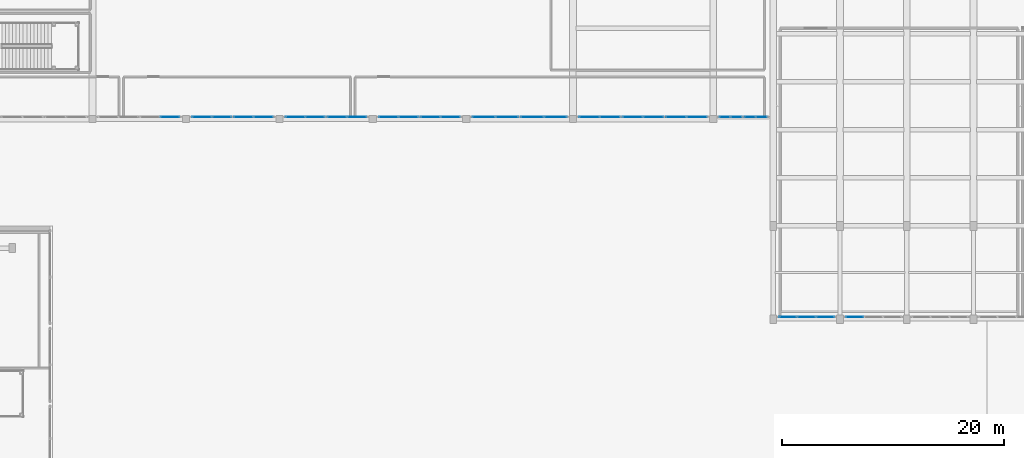
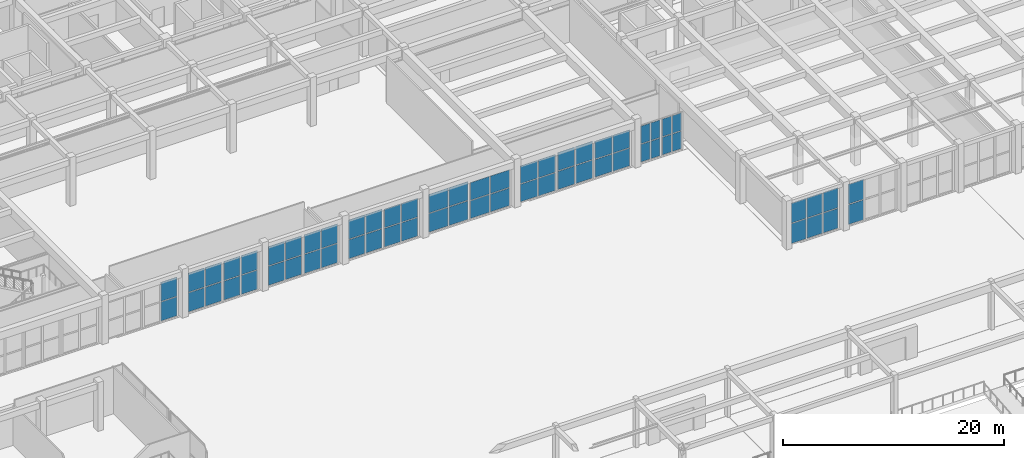
# One storey, part 61 of 98: 62 plates, 16 elements without a shape of their own.
"""IFC4 building model written with IfcOpenShell, lengths in metres."""

from ifc_helpers import new_model, si_unit, direction, frame, origin, origin_2d, place, context, subcontext, project, spatial, rectangle, extrude, material, layer, layer_set, type_object, element, aggregate, save


model = new_model("IFC4")

# Units and contexts
model_context = context("Model", 3, precision=1e-05, world=origin(), true_north=direction((0.0, 1.0)))
body_context = subcontext(model_context, "Body", "Model", "MODEL_VIEW")
ifc_project = project(units=[si_unit("LENGTHUNIT", "METRE"), si_unit("AREAUNIT", "SQUARE_METRE"), si_unit("VOLUMEUNIT", "CUBIC_METRE"), si_unit("PLANEANGLEUNIT", "RADIAN"), si_unit("MASSUNIT", "GRAM", prefix="KILO")], contexts=[model_context])

# Site, building, storey
site_placement = place(None, origin())
site = spatial("IfcSite", under=ifc_project, at=site_placement, CompositionType="ELEMENT")
building_placement = place(site_placement, origin())
building = spatial("IfcBuilding", under=site, at=building_placement, Name="Tarnavel Promenade Courthouse", CompositionType="ELEMENT")
storey_placement = place(building_placement, origin())
storey = spatial("IfcBuildingStorey", under=building, at=storey_placement, Name="L01", CompositionType="ELEMENT", Elevation=0.0)

# Curtain wall, plates
ifc_material_1 = material(Name="Thermally Broken Anodised Aluminium Curtain Wall System", Category="aluminium")
ifc_layer_1 = layer(ifc_material_1, 0.199951171875)
ifc_layer_set_1 = layer_set([ifc_layer_1], Name="Thermally Broken Anodised Aluminium Curtain Wall System")
curtain_wall_type_1 = type_object("IfcCurtainWallType", Name="Thermally Broken Aluminium Triple-Glazed Curtain Wall CW-FOYER", PredefinedType="NOTDEFINED", material=ifc_layer_set_1)
curtain_wall_1_placement = place(storey_placement, origin())
curtain_wall_1 = element("IfcCurtainWall", 1, at=curtain_wall_1_placement, inside=storey, type_object=curtain_wall_type_1, Name="L01 Ceremonial Cloister Curtain Wall 158", PredefinedType="NOTDEFINED")
ifc_material_2 = material(Name="Triple Low-E Argon Insulated Glazing", Category="glass")
ifc_layer_2 = layer(ifc_material_2, 0.048095703125)
ifc_layer_set_2 = layer_set([ifc_layer_2], Name="Triple Low-E Argon Insulated Glazing")
plate_type_1 = type_object("IfcPlateType", Name="Triple Low-E Argon Insulated Glazing Unit CWP-48 (48 mm)", PredefinedType="CURTAIN_PANEL", material=ifc_layer_set_2)
plate_1_placement = place(storey_placement, frame((121.322509765625, 29.02001953125, 0.080078125), z_axis=(0.0, 0.0, 1.0), x_axis=(1.0, 0.0, 0.0)))
plate_1 = element("IfcPlate", 2, at=plate_1_placement, type_object=plate_type_1, Name="CW-04 panel 1.1", PredefinedType="CURTAIN_PANEL", context=body_context, shape_type="SweptSolid", body=[
    extrude(rectangle(XDim=1.56494140625, YDim=0.048095703125, at=origin_2d()), origin(), (0.0, 0.0, 1.0), 2.18994140625),
])
plate_2_placement = place(storey_placement, frame((121.322509765625, 29.02001953125, 2.35009765625), z_axis=(0.0, 0.0, 1.0), x_axis=(1.0, 0.0, 0.0)))
plate_2 = element("IfcPlate", 3, at=plate_2_placement, type_object=plate_type_1, Name="CW-04 panel 1.2", PredefinedType="CURTAIN_PANEL", context=body_context, shape_type="SweptSolid", body=[
    extrude(rectangle(XDim=1.56494140625, YDim=0.048095703125, at=origin_2d()), origin(), (0.0, 0.0, 1.0), 2.18994140625),
])
plate_3_placement = place(storey_placement, frame((123.0, 29.02001953125, 0.080078125), z_axis=(0.0, 0.0, 1.0), x_axis=(1.0, 0.0, 0.0)))
plate_3 = element("IfcPlate", 4, at=plate_3_placement, type_object=plate_type_1, Name="CW-04 panel 2.1", PredefinedType="CURTAIN_PANEL", context=body_context, shape_type="SweptSolid", body=[
    extrude(rectangle(XDim=1.610107421875, YDim=0.048095703125, at=origin_2d()), origin(), (0.0, 0.0, 1.0), 2.18994140625),
])
plate_4_placement = place(storey_placement, frame((123.0, 29.02001953125, 2.35009765625), z_axis=(0.0, 0.0, 1.0), x_axis=(1.0, 0.0, 0.0)))
plate_4 = element("IfcPlate", 5, at=plate_4_placement, type_object=plate_type_1, Name="CW-04 panel 2.2", PredefinedType="CURTAIN_PANEL", context=body_context, shape_type="SweptSolid", body=[
    extrude(rectangle(XDim=1.610107421875, YDim=0.048095703125, at=origin_2d()), origin(), (0.0, 0.0, 1.0), 2.18994140625),
])
plate_5_placement = place(storey_placement, frame((124.677490234375, 29.02001953125, 0.080078125), z_axis=(0.0, 0.0, 1.0), x_axis=(1.0, 0.0, 0.0)))
plate_5 = element("IfcPlate", 6, at=plate_5_placement, type_object=plate_type_1, Name="CW-04 panel 3.1", PredefinedType="CURTAIN_PANEL", context=body_context, shape_type="SweptSolid", body=[
    extrude(rectangle(XDim=1.56494140625, YDim=0.048095703125, at=origin_2d()), origin(), (0.0, 0.0, 1.0), 2.18994140625),
])
plate_6_placement = place(storey_placement, frame((124.677490234375, 29.02001953125, 2.35009765625), z_axis=(0.0, 0.0, 1.0), x_axis=(1.0, 0.0, 0.0)))
plate_6 = element("IfcPlate", 7, at=plate_6_placement, type_object=plate_type_1, Name="CW-04 panel 3.2", PredefinedType="CURTAIN_PANEL", context=body_context, shape_type="SweptSolid", body=[
    extrude(rectangle(XDim=1.56494140625, YDim=0.048095703125, at=origin_2d()), origin(), (0.0, 0.0, 1.0), 2.18994140625),
])
aggregate(curtain_wall_1, [plate_1, plate_2, plate_3, plate_4, plate_5, plate_6])

curtain_wall_2_placement = place(storey_placement, origin())
curtain_wall_2 = element("IfcCurtainWall", 8, at=curtain_wall_2_placement, inside=storey, type_object=curtain_wall_type_1, Name="L01 Ceremonial Cloister Curtain Wall 159", PredefinedType="NOTDEFINED")
plate_7_placement = place(storey_placement, frame((127.322509765625, 29.02001953125, 0.080078125), z_axis=(0.0, 0.0, 1.0), x_axis=(1.0, 0.0, 0.0)))
plate_7 = element("IfcPlate", 9, at=plate_7_placement, type_object=plate_type_1, Name="CW-04 panel 1.1", PredefinedType="CURTAIN_PANEL", context=body_context, shape_type="SweptSolid", body=[
    extrude(rectangle(XDim=1.56494140625, YDim=0.048095703125, at=origin_2d()), origin(), (0.0, 0.0, 1.0), 2.18994140625),
])
plate_8_placement = place(storey_placement, frame((127.322509765625, 29.02001953125, 2.35009765625), z_axis=(0.0, 0.0, 1.0), x_axis=(1.0, 0.0, 0.0)))
plate_8 = element("IfcPlate", 10, at=plate_8_placement, type_object=plate_type_1, Name="CW-04 panel 1.2", PredefinedType="CURTAIN_PANEL", context=body_context, shape_type="SweptSolid", body=[
    extrude(rectangle(XDim=1.56494140625, YDim=0.048095703125, at=origin_2d()), origin(), (0.0, 0.0, 1.0), 2.18994140625),
])
aggregate(curtain_wall_2, [plate_7, plate_8])

ifc_layer_3 = layer(ifc_material_1, 0.239990234375)
ifc_layer_set_3 = layer_set([ifc_layer_3], Name="Thermally Broken Anodised Aluminium Curtain Wall System")
curtain_wall_type_2 = type_object("IfcCurtainWallType", Name="Thermally Broken Aluminium Triple-Glazed Curtain Wall CW-WG-S", PredefinedType="NOTDEFINED", material=ifc_layer_set_3)
curtain_wall_3_placement = place(storey_placement, origin())
curtain_wall_3 = element("IfcCurtainWall", 11, at=curtain_wall_3_placement, inside=storey, type_object=curtain_wall_type_2, Name="L01 Winter-Garden South Solar Curtain Wall 048", PredefinedType="NOTDEFINED")
ifc_layer_4 = layer(ifc_material_2, 0.053955078125)
ifc_layer_set_4 = layer_set([ifc_layer_4], Name="Triple Low-E Argon Insulated Glazing")
plate_type_2 = type_object("IfcPlateType", Name="Triple Low-E Argon Insulated Glazing Unit CWP-54 (54 mm)", PredefinedType="CURTAIN_PANEL", material=ifc_layer_set_4)
plate_9_placement = place(storey_placement, frame((65.77001953125, 47.0, 0.080078125), z_axis=(0.0, 0.0, 1.0), x_axis=(1.0, 0.0, 0.0)))
plate_9 = element("IfcPlate", 12, at=plate_9_placement, type_object=plate_type_2, Name="CW-02 panel 2.1", PredefinedType="CURTAIN_PANEL", context=body_context, shape_type="SweptSolid", body=[
    extrude(rectangle(XDim=1.699951171875, YDim=0.053955078125, at=origin_2d()), origin(), (0.0, 0.0, 1.0), 2.094970703125),
])
plate_10_placement = place(storey_placement, frame((65.77001953125, 47.0, 2.2548828125), z_axis=(0.0, 0.0, 1.0), x_axis=(1.0, 0.0, 0.0)))
plate_10 = element("IfcPlate", 13, at=plate_10_placement, type_object=plate_type_2, Name="CW-02 panel 2.2", PredefinedType="CURTAIN_PANEL", context=body_context, shape_type="SweptSolid", body=[
    extrude(rectangle(XDim=1.699951171875, YDim=0.053955078125, at=origin_2d()), origin(), (0.0, 0.0, 1.0), 2.094970703125),
])
aggregate(curtain_wall_3, [plate_9, plate_10])

curtain_wall_4_placement = place(storey_placement, origin())
curtain_wall_4 = element("IfcCurtainWall", 14, at=curtain_wall_4_placement, inside=storey, type_object=curtain_wall_type_2, Name="L01 Winter-Garden South Solar Curtain Wall 049", PredefinedType="NOTDEFINED")
plate_11_placement = place(storey_placement, frame((68.6298828125, 47.0, 0.080078125), z_axis=(0.0, 0.0, 1.0), x_axis=(1.0, 0.0, 0.0)))
plate_11 = element("IfcPlate", 15, at=plate_11_placement, type_object=plate_type_2, Name="CW-02 panel 1.1", PredefinedType="CURTAIN_PANEL", context=body_context, shape_type="SweptSolid", body=[
    extrude(rectangle(XDim=1.699951171875, YDim=0.053955078125, at=origin_2d()), origin(), (0.0, 0.0, 1.0), 2.094970703125),
])
plate_12_placement = place(storey_placement, frame((68.6298828125, 47.0, 2.2548828125), z_axis=(0.0, 0.0, 1.0), x_axis=(1.0, 0.0, 0.0)))
plate_12 = element("IfcPlate", 16, at=plate_12_placement, type_object=plate_type_2, Name="CW-02 panel 1.2", PredefinedType="CURTAIN_PANEL", context=body_context, shape_type="SweptSolid", body=[
    extrude(rectangle(XDim=1.699951171875, YDim=0.053955078125, at=origin_2d()), origin(), (0.0, 0.0, 1.0), 2.094970703125),
])
plate_13_placement = place(storey_placement, frame((70.419921875, 47.0, 0.080078125), z_axis=(0.0, 0.0, 1.0), x_axis=(1.0, 0.0, 0.0)))
plate_13 = element("IfcPlate", 17, at=plate_13_placement, type_object=plate_type_2, Name="CW-02 panel 2.1", PredefinedType="CURTAIN_PANEL", context=body_context, shape_type="SweptSolid", body=[
    extrude(rectangle(XDim=1.699951171875, YDim=0.053955078125, at=origin_2d()), origin(), (0.0, 0.0, 1.0), 2.094970703125),
])
plate_14_placement = place(storey_placement, frame((70.419921875, 47.0, 2.2548828125), z_axis=(0.0, 0.0, 1.0), x_axis=(1.0, 0.0, 0.0)))
plate_14 = element("IfcPlate", 18, at=plate_14_placement, type_object=plate_type_2, Name="CW-02 panel 2.2", PredefinedType="CURTAIN_PANEL", context=body_context, shape_type="SweptSolid", body=[
    extrude(rectangle(XDim=1.699951171875, YDim=0.053955078125, at=origin_2d()), origin(), (0.0, 0.0, 1.0), 2.094970703125),
])
aggregate(curtain_wall_4, [plate_11, plate_12, plate_13, plate_14])

curtain_wall_5_placement = place(storey_placement, origin())
curtain_wall_5 = element("IfcCurtainWall", 19, at=curtain_wall_5_placement, inside=storey, type_object=curtain_wall_type_2, Name="L01 Winter-Garden South Solar Curtain Wall 050", PredefinedType="NOTDEFINED")
plate_15_placement = place(storey_placement, frame((72.3798828125, 47.0, 0.080078125), z_axis=(0.0, 0.0, 1.0), x_axis=(1.0, 0.0, 0.0)))
plate_15 = element("IfcPlate", 20, at=plate_15_placement, type_object=plate_type_2, Name="CW-02 panel 1.1", PredefinedType="CURTAIN_PANEL", context=body_context, shape_type="SweptSolid", body=[
    extrude(rectangle(XDim=1.699951171875, YDim=0.053955078125, at=origin_2d()), origin(), (0.0, 0.0, 1.0), 2.094970703125),
])
plate_16_placement = place(storey_placement, frame((72.3798828125, 47.0, 2.2548828125), z_axis=(0.0, 0.0, 1.0), x_axis=(1.0, 0.0, 0.0)))
plate_16 = element("IfcPlate", 21, at=plate_16_placement, type_object=plate_type_2, Name="CW-02 panel 1.2", PredefinedType="CURTAIN_PANEL", context=body_context, shape_type="SweptSolid", body=[
    extrude(rectangle(XDim=1.699951171875, YDim=0.053955078125, at=origin_2d()), origin(), (0.0, 0.0, 1.0), 2.094970703125),
])
plate_17_placement = place(storey_placement, frame((74.169921875, 47.0, 0.080078125), z_axis=(0.0, 0.0, 1.0), x_axis=(1.0, 0.0, 0.0)))
plate_17 = element("IfcPlate", 22, at=plate_17_placement, type_object=plate_type_2, Name="CW-02 panel 2.1", PredefinedType="CURTAIN_PANEL", context=body_context, shape_type="SweptSolid", body=[
    extrude(rectangle(XDim=1.699951171875, YDim=0.053955078125, at=origin_2d()), origin(), (0.0, 0.0, 1.0), 2.094970703125),
])
plate_18_placement = place(storey_placement, frame((74.169921875, 47.0, 2.2548828125), z_axis=(0.0, 0.0, 1.0), x_axis=(1.0, 0.0, 0.0)))
plate_18 = element("IfcPlate", 23, at=plate_18_placement, type_object=plate_type_2, Name="CW-02 panel 2.2", PredefinedType="CURTAIN_PANEL", context=body_context, shape_type="SweptSolid", body=[
    extrude(rectangle(XDim=1.699951171875, YDim=0.053955078125, at=origin_2d()), origin(), (0.0, 0.0, 1.0), 2.094970703125),
])
aggregate(curtain_wall_5, [plate_15, plate_16, plate_17, plate_18])

curtain_wall_6_placement = place(storey_placement, origin())
curtain_wall_6 = element("IfcCurtainWall", 24, at=curtain_wall_6_placement, inside=storey, type_object=curtain_wall_type_2, Name="L01 Winter-Garden South Solar Curtain Wall 051", PredefinedType="NOTDEFINED")
plate_19_placement = place(storey_placement, frame((77.030029296875, 47.0, 0.080078125), z_axis=(0.0, 0.0, 1.0), x_axis=(1.0, 0.0, 0.0)))
plate_19 = element("IfcPlate", 25, at=plate_19_placement, type_object=plate_type_2, Name="CW-02 panel 1.1", PredefinedType="CURTAIN_PANEL", context=body_context, shape_type="SweptSolid", body=[
    extrude(rectangle(XDim=1.699951171875, YDim=0.053955078125, at=origin_2d()), origin(), (0.0, 0.0, 1.0), 2.094970703125),
])
plate_20_placement = place(storey_placement, frame((77.030029296875, 47.0, 2.2548828125), z_axis=(0.0, 0.0, 1.0), x_axis=(1.0, 0.0, 0.0)))
plate_20 = element("IfcPlate", 26, at=plate_20_placement, type_object=plate_type_2, Name="CW-02 panel 1.2", PredefinedType="CURTAIN_PANEL", context=body_context, shape_type="SweptSolid", body=[
    extrude(rectangle(XDim=1.699951171875, YDim=0.053955078125, at=origin_2d()), origin(), (0.0, 0.0, 1.0), 2.094970703125),
])
plate_21_placement = place(storey_placement, frame((78.820068359375, 47.0, 0.080078125), z_axis=(0.0, 0.0, 1.0), x_axis=(1.0, 0.0, 0.0)))
plate_21 = element("IfcPlate", 27, at=plate_21_placement, type_object=plate_type_2, Name="CW-02 panel 2.1", PredefinedType="CURTAIN_PANEL", context=body_context, shape_type="SweptSolid", body=[
    extrude(rectangle(XDim=1.699951171875, YDim=0.053955078125, at=origin_2d()), origin(), (0.0, 0.0, 1.0), 2.094970703125),
])
plate_22_placement = place(storey_placement, frame((78.820068359375, 47.0, 2.2548828125), z_axis=(0.0, 0.0, 1.0), x_axis=(1.0, 0.0, 0.0)))
plate_22 = element("IfcPlate", 28, at=plate_22_placement, type_object=plate_type_2, Name="CW-02 panel 2.2", PredefinedType="CURTAIN_PANEL", context=body_context, shape_type="SweptSolid", body=[
    extrude(rectangle(XDim=1.699951171875, YDim=0.053955078125, at=origin_2d()), origin(), (0.0, 0.0, 1.0), 2.094970703125),
])
aggregate(curtain_wall_6, [plate_19, plate_20, plate_21, plate_22])

curtain_wall_7_placement = place(storey_placement, origin())
curtain_wall_7 = element("IfcCurtainWall", 29, at=curtain_wall_7_placement, inside=storey, type_object=curtain_wall_type_2, Name="L01 Winter-Garden South Solar Curtain Wall 052", PredefinedType="NOTDEFINED")
plate_23_placement = place(storey_placement, frame((80.780029296875, 47.0, 0.080078125), z_axis=(0.0, 0.0, 1.0), x_axis=(1.0, 0.0, 0.0)))
plate_23 = element("IfcPlate", 30, at=plate_23_placement, type_object=plate_type_2, Name="CW-02 panel 1.1", PredefinedType="CURTAIN_PANEL", context=body_context, shape_type="SweptSolid", body=[
    extrude(rectangle(XDim=1.699951171875, YDim=0.053955078125, at=origin_2d()), origin(), (0.0, 0.0, 1.0), 2.094970703125),
])
plate_24_placement = place(storey_placement, frame((80.780029296875, 47.0, 2.2548828125), z_axis=(0.0, 0.0, 1.0), x_axis=(1.0, 0.0, 0.0)))
plate_24 = element("IfcPlate", 31, at=plate_24_placement, type_object=plate_type_2, Name="CW-02 panel 1.2", PredefinedType="CURTAIN_PANEL", context=body_context, shape_type="SweptSolid", body=[
    extrude(rectangle(XDim=1.699951171875, YDim=0.053955078125, at=origin_2d()), origin(), (0.0, 0.0, 1.0), 2.094970703125),
])
plate_25_placement = place(storey_placement, frame((82.570068359375, 47.0, 0.080078125), z_axis=(0.0, 0.0, 1.0), x_axis=(1.0, 0.0, 0.0)))
plate_25 = element("IfcPlate", 32, at=plate_25_placement, type_object=plate_type_2, Name="CW-02 panel 2.1", PredefinedType="CURTAIN_PANEL", context=body_context, shape_type="SweptSolid", body=[
    extrude(rectangle(XDim=1.699951171875, YDim=0.053955078125, at=origin_2d()), origin(), (0.0, 0.0, 1.0), 2.094970703125),
])
plate_26_placement = place(storey_placement, frame((82.570068359375, 47.0, 2.2548828125), z_axis=(0.0, 0.0, 1.0), x_axis=(1.0, 0.0, 0.0)))
plate_26 = element("IfcPlate", 33, at=plate_26_placement, type_object=plate_type_2, Name="CW-02 panel 2.2", PredefinedType="CURTAIN_PANEL", context=body_context, shape_type="SweptSolid", body=[
    extrude(rectangle(XDim=1.699951171875, YDim=0.053955078125, at=origin_2d()), origin(), (0.0, 0.0, 1.0), 2.094970703125),
])
aggregate(curtain_wall_7, [plate_23, plate_24, plate_25, plate_26])

curtain_wall_8_placement = place(storey_placement, origin())
curtain_wall_8 = element("IfcCurtainWall", 34, at=curtain_wall_8_placement, inside=storey, type_object=curtain_wall_type_2, Name="L01 Winter-Garden South Solar Curtain Wall 053", PredefinedType="NOTDEFINED")
plate_27_placement = place(storey_placement, frame((85.429931640625, 47.0, 0.080078125), z_axis=(0.0, 0.0, 1.0), x_axis=(1.0, 0.0, 0.0)))
plate_27 = element("IfcPlate", 35, at=plate_27_placement, type_object=plate_type_2, Name="CW-02 panel 1.1", PredefinedType="CURTAIN_PANEL", context=body_context, shape_type="SweptSolid", body=[
    extrude(rectangle(XDim=1.699951171875, YDim=0.053955078125, at=origin_2d()), origin(), (0.0, 0.0, 1.0), 2.094970703125),
])
plate_28_placement = place(storey_placement, frame((85.429931640625, 47.0, 2.2548828125), z_axis=(0.0, 0.0, 1.0), x_axis=(1.0, 0.0, 0.0)))
plate_28 = element("IfcPlate", 36, at=plate_28_placement, type_object=plate_type_2, Name="CW-02 panel 1.2", PredefinedType="CURTAIN_PANEL", context=body_context, shape_type="SweptSolid", body=[
    extrude(rectangle(XDim=1.699951171875, YDim=0.053955078125, at=origin_2d()), origin(), (0.0, 0.0, 1.0), 2.094970703125),
])
plate_29_placement = place(storey_placement, frame((87.219970703125, 47.0, 0.080078125), z_axis=(0.0, 0.0, 1.0), x_axis=(1.0, 0.0, 0.0)))
plate_29 = element("IfcPlate", 37, at=plate_29_placement, type_object=plate_type_2, Name="CW-02 panel 2.1", PredefinedType="CURTAIN_PANEL", context=body_context, shape_type="SweptSolid", body=[
    extrude(rectangle(XDim=1.699951171875, YDim=0.053955078125, at=origin_2d()), origin(), (0.0, 0.0, 1.0), 2.094970703125),
])
plate_30_placement = place(storey_placement, frame((87.219970703125, 47.0, 2.2548828125), z_axis=(0.0, 0.0, 1.0), x_axis=(1.0, 0.0, 0.0)))
plate_30 = element("IfcPlate", 38, at=plate_30_placement, type_object=plate_type_2, Name="CW-02 panel 2.2", PredefinedType="CURTAIN_PANEL", context=body_context, shape_type="SweptSolid", body=[
    extrude(rectangle(XDim=1.699951171875, YDim=0.053955078125, at=origin_2d()), origin(), (0.0, 0.0, 1.0), 2.094970703125),
])
aggregate(curtain_wall_8, [plate_27, plate_28, plate_29, plate_30])

curtain_wall_9_placement = place(storey_placement, origin())
curtain_wall_9 = element("IfcCurtainWall", 39, at=curtain_wall_9_placement, inside=storey, type_object=curtain_wall_type_2, Name="L01 Winter-Garden South Solar Curtain Wall 054", PredefinedType="NOTDEFINED")
plate_31_placement = place(storey_placement, frame((89.179931640625, 47.0, 0.080078125), z_axis=(0.0, 0.0, 1.0), x_axis=(1.0, 0.0, 0.0)))
plate_31 = element("IfcPlate", 40, at=plate_31_placement, type_object=plate_type_2, Name="CW-02 panel 1.1", PredefinedType="CURTAIN_PANEL", context=body_context, shape_type="SweptSolid", body=[
    extrude(rectangle(XDim=1.699951171875, YDim=0.053955078125, at=origin_2d()), origin(), (0.0, 0.0, 1.0), 2.044921875),
])
plate_32_placement = place(storey_placement, frame((89.179931640625, 47.0, 2.205078125), z_axis=(0.0, 0.0, 1.0), x_axis=(1.0, 0.0, 0.0)))
plate_32 = element("IfcPlate", 41, at=plate_32_placement, type_object=plate_type_2, Name="CW-02 panel 1.2", PredefinedType="CURTAIN_PANEL", context=body_context, shape_type="SweptSolid", body=[
    extrude(rectangle(XDim=1.699951171875, YDim=0.053955078125, at=origin_2d()), origin(), (0.0, 0.0, 1.0), 2.044921875),
])
plate_33_placement = place(storey_placement, frame((90.969970703125, 47.0, 0.080078125), z_axis=(0.0, 0.0, 1.0), x_axis=(1.0, 0.0, 0.0)))
plate_33 = element("IfcPlate", 42, at=plate_33_placement, type_object=plate_type_2, Name="CW-02 panel 2.1", PredefinedType="CURTAIN_PANEL", context=body_context, shape_type="SweptSolid", body=[
    extrude(rectangle(XDim=1.699951171875, YDim=0.053955078125, at=origin_2d()), origin(), (0.0, 0.0, 1.0), 2.044921875),
])
plate_34_placement = place(storey_placement, frame((90.969970703125, 47.0, 2.205078125), z_axis=(0.0, 0.0, 1.0), x_axis=(1.0, 0.0, 0.0)))
plate_34 = element("IfcPlate", 43, at=plate_34_placement, type_object=plate_type_2, Name="CW-02 panel 2.2", PredefinedType="CURTAIN_PANEL", context=body_context, shape_type="SweptSolid", body=[
    extrude(rectangle(XDim=1.699951171875, YDim=0.053955078125, at=origin_2d()), origin(), (0.0, 0.0, 1.0), 2.044921875),
])
aggregate(curtain_wall_9, [plate_31, plate_32, plate_33, plate_34])

curtain_wall_10_placement = place(storey_placement, origin())
curtain_wall_10 = element("IfcCurtainWall", 44, at=curtain_wall_10_placement, inside=storey, type_object=curtain_wall_type_2, Name="L01 Winter-Garden South Solar Curtain Wall 055", PredefinedType="NOTDEFINED")
plate_35_placement = place(storey_placement, frame((93.97998046875, 47.0, 0.080078125), z_axis=(0.0, 0.0, 1.0), x_axis=(1.0, 0.0, 0.0)))
plate_35 = element("IfcPlate", 45, at=plate_35_placement, type_object=plate_type_2, Name="CW-02 panel 1.1", PredefinedType="CURTAIN_PANEL", context=body_context, shape_type="SweptSolid", body=[
    extrude(rectangle(XDim=2.0, YDim=0.053955078125, at=origin_2d()), origin(), (0.0, 0.0, 1.0), 2.044921875),
])
plate_36_placement = place(storey_placement, frame((93.97998046875, 47.0, 2.205078125), z_axis=(0.0, 0.0, 1.0), x_axis=(1.0, 0.0, 0.0)))
plate_36 = element("IfcPlate", 46, at=plate_36_placement, type_object=plate_type_2, Name="CW-02 panel 1.2", PredefinedType="CURTAIN_PANEL", context=body_context, shape_type="SweptSolid", body=[
    extrude(rectangle(XDim=2.0, YDim=0.053955078125, at=origin_2d()), origin(), (0.0, 0.0, 1.0), 2.044921875),
])
plate_37_placement = place(storey_placement, frame((96.070068359375, 47.0, 0.080078125), z_axis=(0.0, 0.0, 1.0), x_axis=(1.0, 0.0, 0.0)))
plate_37 = element("IfcPlate", 47, at=plate_37_placement, type_object=plate_type_2, Name="CW-02 panel 2.1", PredefinedType="CURTAIN_PANEL", context=body_context, shape_type="SweptSolid", body=[
    extrude(rectangle(XDim=2.0, YDim=0.053955078125, at=origin_2d()), origin(), (0.0, 0.0, 1.0), 2.044921875),
])
plate_38_placement = place(storey_placement, frame((96.070068359375, 47.0, 2.205078125), z_axis=(0.0, 0.0, 1.0), x_axis=(1.0, 0.0, 0.0)))
plate_38 = element("IfcPlate", 48, at=plate_38_placement, type_object=plate_type_2, Name="CW-02 panel 2.2", PredefinedType="CURTAIN_PANEL", context=body_context, shape_type="SweptSolid", body=[
    extrude(rectangle(XDim=2.0, YDim=0.053955078125, at=origin_2d()), origin(), (0.0, 0.0, 1.0), 2.044921875),
])
aggregate(curtain_wall_10, [plate_35, plate_36, plate_37, plate_38])

curtain_wall_11_placement = place(storey_placement, origin())
curtain_wall_11 = element("IfcCurtainWall", 49, at=curtain_wall_11_placement, inside=storey, type_object=curtain_wall_type_2, Name="L01 Winter-Garden South Solar Curtain Wall 056", PredefinedType="NOTDEFINED")
plate_39_placement = place(storey_placement, frame((98.330078125, 47.0, 0.080078125), z_axis=(0.0, 0.0, 1.0), x_axis=(1.0, 0.0, 0.0)))
plate_39 = element("IfcPlate", 50, at=plate_39_placement, type_object=plate_type_2, Name="CW-02 panel 1.1", PredefinedType="CURTAIN_PANEL", context=body_context, shape_type="SweptSolid", body=[
    extrude(rectangle(XDim=2.0, YDim=0.053955078125, at=origin_2d()), origin(), (0.0, 0.0, 1.0), 1.945068359375),
])
plate_40_placement = place(storey_placement, frame((98.330078125, 47.0, 2.10498046875), z_axis=(0.0, 0.0, 1.0), x_axis=(1.0, 0.0, 0.0)))
plate_40 = element("IfcPlate", 51, at=plate_40_placement, type_object=plate_type_2, Name="CW-02 panel 1.2", PredefinedType="CURTAIN_PANEL", context=body_context, shape_type="SweptSolid", body=[
    extrude(rectangle(XDim=2.0, YDim=0.053955078125, at=origin_2d()), origin(), (0.0, 0.0, 1.0), 1.945068359375),
])
plate_41_placement = place(storey_placement, frame((100.419921875, 47.0, 0.080078125), z_axis=(0.0, 0.0, 1.0), x_axis=(1.0, 0.0, 0.0)))
plate_41 = element("IfcPlate", 52, at=plate_41_placement, type_object=plate_type_2, Name="CW-02 panel 2.1", PredefinedType="CURTAIN_PANEL", context=body_context, shape_type="SweptSolid", body=[
    extrude(rectangle(XDim=2.0, YDim=0.053955078125, at=origin_2d()), origin(), (0.0, 0.0, 1.0), 1.945068359375),
])
plate_42_placement = place(storey_placement, frame((100.419921875, 47.0, 2.10498046875), z_axis=(0.0, 0.0, 1.0), x_axis=(1.0, 0.0, 0.0)))
plate_42 = element("IfcPlate", 53, at=plate_42_placement, type_object=plate_type_2, Name="CW-02 panel 2.2", PredefinedType="CURTAIN_PANEL", context=body_context, shape_type="SweptSolid", body=[
    extrude(rectangle(XDim=2.0, YDim=0.053955078125, at=origin_2d()), origin(), (0.0, 0.0, 1.0), 1.945068359375),
])
aggregate(curtain_wall_11, [plate_39, plate_40, plate_41, plate_42])

curtain_wall_12_placement = place(storey_placement, origin())
curtain_wall_12 = element("IfcCurtainWall", 54, at=curtain_wall_12_placement, inside=storey, type_object=curtain_wall_type_2, Name="L01 Winter-Garden South Solar Curtain Wall 057", PredefinedType="NOTDEFINED")
plate_43_placement = place(storey_placement, frame((103.467529296875, 47.0, 0.080078125), z_axis=(0.0, 0.0, 1.0), x_axis=(1.0, 0.0, 0.0)))
plate_43 = element("IfcPlate", 55, at=plate_43_placement, type_object=plate_type_2, Name="CW-02 panel 1.1", PredefinedType="CURTAIN_PANEL", context=body_context, shape_type="SweptSolid", body=[
    extrude(rectangle(XDim=1.77490234375, YDim=0.053955078125, at=origin_2d()), origin(), (0.0, 0.0, 1.0), 1.945068359375),
])
plate_44_placement = place(storey_placement, frame((103.467529296875, 47.0, 2.10498046875), z_axis=(0.0, 0.0, 1.0), x_axis=(1.0, 0.0, 0.0)))
plate_44 = element("IfcPlate", 56, at=plate_44_placement, type_object=plate_type_2, Name="CW-02 panel 1.2", PredefinedType="CURTAIN_PANEL", context=body_context, shape_type="SweptSolid", body=[
    extrude(rectangle(XDim=1.77490234375, YDim=0.053955078125, at=origin_2d()), origin(), (0.0, 0.0, 1.0), 1.945068359375),
])
plate_45_placement = place(storey_placement, frame((105.33251953125, 47.0, 0.080078125), z_axis=(0.0, 0.0, 1.0), x_axis=(1.0, 0.0, 0.0)))
plate_45 = element("IfcPlate", 57, at=plate_45_placement, type_object=plate_type_2, Name="CW-02 panel 2.1", PredefinedType="CURTAIN_PANEL", context=body_context, shape_type="SweptSolid", body=[
    extrude(rectangle(XDim=1.77490234375, YDim=0.053955078125, at=origin_2d()), origin(), (0.0, 0.0, 1.0), 1.945068359375),
])
plate_46_placement = place(storey_placement, frame((105.33251953125, 47.0, 2.10498046875), z_axis=(0.0, 0.0, 1.0), x_axis=(1.0, 0.0, 0.0)))
plate_46 = element("IfcPlate", 58, at=plate_46_placement, type_object=plate_type_2, Name="CW-02 panel 2.2", PredefinedType="CURTAIN_PANEL", context=body_context, shape_type="SweptSolid", body=[
    extrude(rectangle(XDim=1.77490234375, YDim=0.053955078125, at=origin_2d()), origin(), (0.0, 0.0, 1.0), 1.945068359375),
])
aggregate(curtain_wall_12, [plate_43, plate_44, plate_45, plate_46])

curtain_wall_13_placement = place(storey_placement, origin())
curtain_wall_13 = element("IfcCurtainWall", 59, at=curtain_wall_13_placement, inside=storey, type_object=curtain_wall_type_2, Name="L01 Winter-Garden South Solar Curtain Wall 058", PredefinedType="NOTDEFINED")
plate_47_placement = place(storey_placement, frame((107.367431640625, 47.0, 0.079833984375), z_axis=(0.0, 0.0, 1.0), x_axis=(1.0, 0.0, 0.0)))
plate_47 = element("IfcPlate", 60, at=plate_47_placement, type_object=plate_type_2, Name="CW-02 panel 1.1", PredefinedType="CURTAIN_PANEL", context=body_context, shape_type="SweptSolid", body=[
    extrude(rectangle(XDim=1.77490234375, YDim=0.053955078125, at=origin_2d()), origin(), (0.0, 0.0, 1.0), 1.9951171875),
])
plate_48_placement = place(storey_placement, frame((107.367431640625, 47.0, 2.155029296875), z_axis=(0.0, 0.0, 1.0), x_axis=(1.0, 0.0, 0.0)))
plate_48 = element("IfcPlate", 61, at=plate_48_placement, type_object=plate_type_2, Name="CW-02 panel 1.2", PredefinedType="CURTAIN_PANEL", context=body_context, shape_type="SweptSolid", body=[
    extrude(rectangle(XDim=1.77490234375, YDim=0.053955078125, at=origin_2d()), origin(), (0.0, 0.0, 1.0), 1.9951171875),
])
plate_49_placement = place(storey_placement, frame((109.232421875, 47.0, 0.079833984375), z_axis=(0.0, 0.0, 1.0), x_axis=(1.0, 0.0, 0.0)))
plate_49 = element("IfcPlate", 62, at=plate_49_placement, type_object=plate_type_2, Name="CW-02 panel 2.1", PredefinedType="CURTAIN_PANEL", context=body_context, shape_type="SweptSolid", body=[
    extrude(rectangle(XDim=1.77490234375, YDim=0.053955078125, at=origin_2d()), origin(), (0.0, 0.0, 1.0), 1.9951171875),
])
plate_50_placement = place(storey_placement, frame((109.232421875, 47.0, 2.155029296875), z_axis=(0.0, 0.0, 1.0), x_axis=(1.0, 0.0, 0.0)))
plate_50 = element("IfcPlate", 63, at=plate_50_placement, type_object=plate_type_2, Name="CW-02 panel 2.2", PredefinedType="CURTAIN_PANEL", context=body_context, shape_type="SweptSolid", body=[
    extrude(rectangle(XDim=1.77490234375, YDim=0.053955078125, at=origin_2d()), origin(), (0.0, 0.0, 1.0), 1.9951171875),
])
aggregate(curtain_wall_13, [plate_47, plate_48, plate_49, plate_50])

curtain_wall_14_placement = place(storey_placement, origin())
curtain_wall_14 = element("IfcCurtainWall", 64, at=curtain_wall_14_placement, inside=storey, type_object=curtain_wall_type_2, Name="L01 Winter-Garden South Solar Curtain Wall 059", PredefinedType="NOTDEFINED")
plate_51_placement = place(storey_placement, frame((111.267578125, 47.0, 0.080078125), z_axis=(0.0, 0.0, 1.0), x_axis=(1.0, 0.0, 0.0)))
plate_51 = element("IfcPlate", 65, at=plate_51_placement, type_object=plate_type_2, Name="CW-02 panel 1.1", PredefinedType="CURTAIN_PANEL", context=body_context, shape_type="SweptSolid", body=[
    extrude(rectangle(XDim=1.77490234375, YDim=0.053955078125, at=origin_2d()), origin(), (0.0, 0.0, 1.0), 1.945068359375),
])
plate_52_placement = place(storey_placement, frame((111.267578125, 47.0, 2.10498046875), z_axis=(0.0, 0.0, 1.0), x_axis=(1.0, 0.0, 0.0)))
plate_52 = element("IfcPlate", 66, at=plate_52_placement, type_object=plate_type_2, Name="CW-02 panel 1.2", PredefinedType="CURTAIN_PANEL", context=body_context, shape_type="SweptSolid", body=[
    extrude(rectangle(XDim=1.77490234375, YDim=0.053955078125, at=origin_2d()), origin(), (0.0, 0.0, 1.0), 1.945068359375),
])
plate_53_placement = place(storey_placement, frame((113.132568359375, 47.0, 0.080078125), z_axis=(0.0, 0.0, 1.0), x_axis=(1.0, 0.0, 0.0)))
plate_53 = element("IfcPlate", 67, at=plate_53_placement, type_object=plate_type_2, Name="CW-02 panel 2.1", PredefinedType="CURTAIN_PANEL", context=body_context, shape_type="SweptSolid", body=[
    extrude(rectangle(XDim=1.77490234375, YDim=0.053955078125, at=origin_2d()), origin(), (0.0, 0.0, 1.0), 1.945068359375),
])
plate_54_placement = place(storey_placement, frame((113.132568359375, 47.0, 2.10498046875), z_axis=(0.0, 0.0, 1.0), x_axis=(1.0, 0.0, 0.0)))
plate_54 = element("IfcPlate", 68, at=plate_54_placement, type_object=plate_type_2, Name="CW-02 panel 2.2", PredefinedType="CURTAIN_PANEL", context=body_context, shape_type="SweptSolid", body=[
    extrude(rectangle(XDim=1.77490234375, YDim=0.053955078125, at=origin_2d()), origin(), (0.0, 0.0, 1.0), 1.945068359375),
])
aggregate(curtain_wall_14, [plate_51, plate_52, plate_53, plate_54])

curtain_wall_15_placement = place(storey_placement, origin())
curtain_wall_15 = element("IfcCurtainWall", 69, at=curtain_wall_15_placement, inside=storey, type_object=curtain_wall_type_2, Name="L01 Winter-Garden South Solar Curtain Wall 060", PredefinedType="NOTDEFINED")
plate_55_placement = place(storey_placement, frame((115.655029296875, 47.0, 0.080078125), z_axis=(0.0, 0.0, 1.0), x_axis=(1.0, 0.0, 0.0)))
plate_55 = element("IfcPlate", 70, at=plate_55_placement, type_object=plate_type_2, Name="CW-02 panel 1.1", PredefinedType="CURTAIN_PANEL", context=body_context, shape_type="SweptSolid", body=[
    extrude(rectangle(XDim=0.949951171875, YDim=0.053955078125, at=origin_2d()), origin(), (0.0, 0.0, 1.0), 1.945068359375),
])
plate_56_placement = place(storey_placement, frame((115.655029296875, 47.0, 2.10498046875), z_axis=(0.0, 0.0, 1.0), x_axis=(1.0, 0.0, 0.0)))
plate_56 = element("IfcPlate", 71, at=plate_56_placement, type_object=plate_type_2, Name="CW-02 panel 1.2", PredefinedType="CURTAIN_PANEL", context=body_context, shape_type="SweptSolid", body=[
    extrude(rectangle(XDim=0.949951171875, YDim=0.053955078125, at=origin_2d()), origin(), (0.0, 0.0, 1.0), 1.945068359375),
])
plate_57_placement = place(storey_placement, frame((116.695068359375, 47.0, 0.080078125), z_axis=(0.0, 0.0, 1.0), x_axis=(1.0, 0.0, 0.0)))
plate_57 = element("IfcPlate", 72, at=plate_57_placement, type_object=plate_type_2, Name="CW-02 panel 2.1", PredefinedType="CURTAIN_PANEL", context=body_context, shape_type="SweptSolid", body=[
    extrude(rectangle(XDim=0.949951171875, YDim=0.053955078125, at=origin_2d()), origin(), (0.0, 0.0, 1.0), 1.945068359375),
])
plate_58_placement = place(storey_placement, frame((116.695068359375, 47.0, 2.10498046875), z_axis=(0.0, 0.0, 1.0), x_axis=(1.0, 0.0, 0.0)))
plate_58 = element("IfcPlate", 73, at=plate_58_placement, type_object=plate_type_2, Name="CW-02 panel 2.2", PredefinedType="CURTAIN_PANEL", context=body_context, shape_type="SweptSolid", body=[
    extrude(rectangle(XDim=0.949951171875, YDim=0.053955078125, at=origin_2d()), origin(), (0.0, 0.0, 1.0), 1.945068359375),
])
aggregate(curtain_wall_15, [plate_55, plate_56, plate_57, plate_58])

curtain_wall_16_placement = place(storey_placement, origin())
curtain_wall_16 = element("IfcCurtainWall", 74, at=curtain_wall_16_placement, inside=storey, type_object=curtain_wall_type_2, Name="L01 Winter-Garden South Solar Curtain Wall 061", PredefinedType="NOTDEFINED")
plate_59_placement = place(storey_placement, frame((117.905029296875, 47.0, 0.080078125), z_axis=(0.0, 0.0, 1.0), x_axis=(1.0, 0.0, 0.0)))
plate_59 = element("IfcPlate", 75, at=plate_59_placement, type_object=plate_type_2, Name="CW-02 panel 1.1", PredefinedType="CURTAIN_PANEL", context=body_context, shape_type="SweptSolid", body=[
    extrude(rectangle(XDim=0.949951171875, YDim=0.053955078125, at=origin_2d()), origin(), (0.0, 0.0, 1.0), 1.945068359375),
])
plate_60_placement = place(storey_placement, frame((117.905029296875, 47.0, 2.10498046875), z_axis=(0.0, 0.0, 1.0), x_axis=(1.0, 0.0, 0.0)))
plate_60 = element("IfcPlate", 76, at=plate_60_placement, type_object=plate_type_2, Name="CW-02 panel 1.2", PredefinedType="CURTAIN_PANEL", context=body_context, shape_type="SweptSolid", body=[
    extrude(rectangle(XDim=0.949951171875, YDim=0.053955078125, at=origin_2d()), origin(), (0.0, 0.0, 1.0), 1.945068359375),
])
plate_61_placement = place(storey_placement, frame((118.945068359375, 47.0, 0.080078125), z_axis=(0.0, 0.0, 1.0), x_axis=(1.0, 0.0, 0.0)))
plate_61 = element("IfcPlate", 77, at=plate_61_placement, type_object=plate_type_2, Name="CW-02 panel 2.1", PredefinedType="CURTAIN_PANEL", context=body_context, shape_type="SweptSolid", body=[
    extrude(rectangle(XDim=0.949951171875, YDim=0.053955078125, at=origin_2d()), origin(), (0.0, 0.0, 1.0), 1.945068359375),
])
plate_62_placement = place(storey_placement, frame((118.945068359375, 47.0, 2.10498046875), z_axis=(0.0, 0.0, 1.0), x_axis=(1.0, 0.0, 0.0)))
plate_62 = element("IfcPlate", 78, at=plate_62_placement, type_object=plate_type_2, Name="CW-02 panel 2.2", PredefinedType="CURTAIN_PANEL", context=body_context, shape_type="SweptSolid", body=[
    extrude(rectangle(XDim=0.949951171875, YDim=0.053955078125, at=origin_2d()), origin(), (0.0, 0.0, 1.0), 1.945068359375),
])
aggregate(curtain_wall_16, [plate_59, plate_60, plate_61, plate_62])

save(model, "model.ifc")
